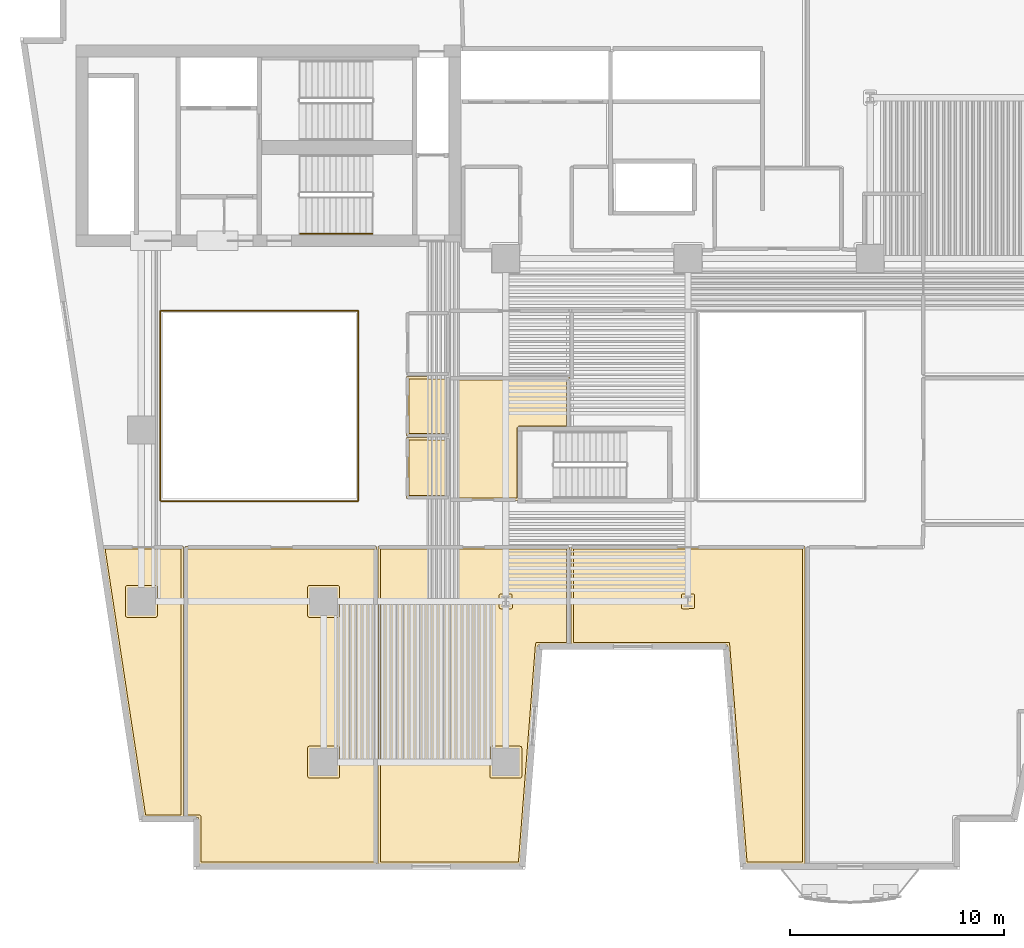
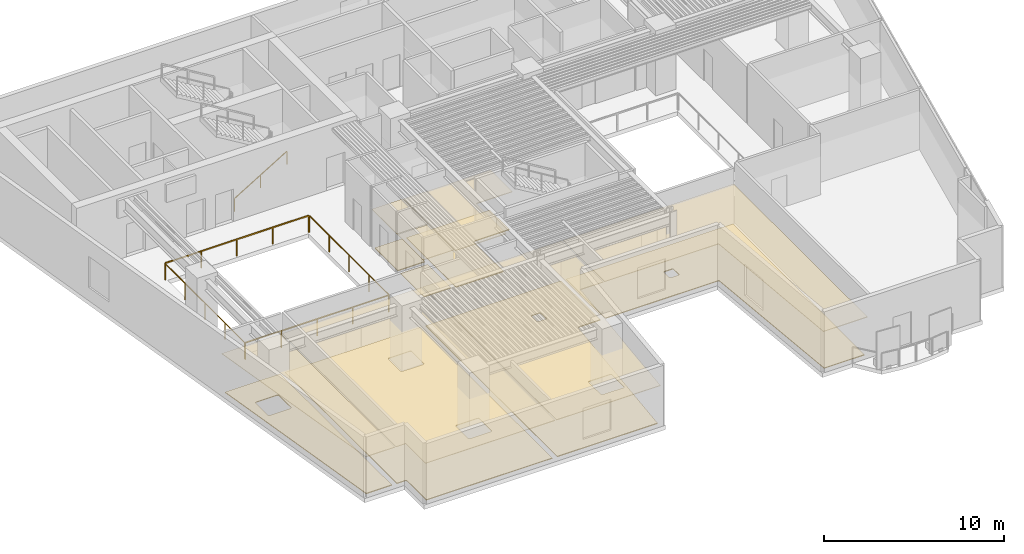
# One storey, part 8 of 12: 14 coverings, 5 railings.
"""IFC4 building model written with IfcOpenShell, lengths in metres."""

from ifc_helpers import new_model, si_unit, direction, frame, origin, origin_2d, place, context, subcontext, project, spatial, polyline, rectangle, outline, extrude, material, layer, layer_set, type_object, element, save


model = new_model("IFC4")

# Units and contexts
model_context = context("Model", 3, precision=1e-05, world=origin(), true_north=direction((0.0, 1.0)))
body_context = subcontext(model_context, "Body", "Model", "MODEL_VIEW")
ifc_project = project(units=[si_unit("LENGTHUNIT", "METRE"), si_unit("AREAUNIT", "SQUARE_METRE"), si_unit("VOLUMEUNIT", "CUBIC_METRE"), si_unit("PLANEANGLEUNIT", "RADIAN"), si_unit("MASSUNIT", "GRAM", prefix="KILO")], contexts=[model_context])

# Site, building, storey
site_placement = place(None, origin())
site = spatial("IfcSite", under=ifc_project, at=site_placement, CompositionType="ELEMENT")
building_placement = place(site_placement, origin())
building = spatial("IfcBuilding", under=site, at=building_placement, Name="Caeloran Harvest Quay", CompositionType="ELEMENT")
storey_placement = place(building_placement, frame((0.0, 0.0, 79.800048828125)))
storey = spatial("IfcBuildingStorey", under=building, at=storey_placement, Name="L18", CompositionType="ELEMENT", Elevation=79.800048828125)

# Coverings
ifc_material_1 = material(Name="Perforated Mineral-Fibre Acoustic Ceiling Tile", Category="ceiling")
ifc_layer_1 = layer(ifc_material_1, 0.0400390625, Name="Perforated Mineral-Fibre Acoustic Ceiling Tile")
ifc_layer_set_1 = layer_set([ifc_layer_1], Name="Perforated Mineral-Fibre Acoustic Ceiling Tile")
covering_type_1 = type_object("IfcCoveringType", Name="COV-CEILING-ACOUSTIC", PredefinedType="CEILING", material=ifc_layer_set_1)
covering_1_placement = place(storey_placement, frame((0.0, 0.0, 2.599853515625)))
element("IfcCovering", 1, at=covering_1_placement, inside=storey, type_object=covering_type_1, Name="L18 Female Washroom WC Acoustic Ceiling", PredefinedType="CEILING", context=body_context, shape_type="SweptSolid", body=[
    extrude(outline(polyline([(22.840087890625, 22.7099609375), (20.8701171875, 22.7099609375), (20.8701171875, 25.489990234375), (22.840087890625, 25.489990234375), (22.840087890625, 22.7099609375)])), origin(), (0.0, 0.0, 1.0), 0.0400390625),
])
covering_2_placement = place(storey_placement, frame((0.0, 0.0, 2.599853515625)))
element("IfcCovering", 2, at=covering_2_placement, inside=storey, type_object=covering_type_1, Name="L18 Accessible Unisex Washroom WC Acoustic Ceiling", PredefinedType="CEILING", context=body_context, shape_type="SweptSolid", body=[
    extrude(outline(polyline([(22.840087890625, 19.81005859375), (20.8701171875, 19.81005859375), (20.8701171875, 22.639892578125), (22.840087890625, 22.639892578125), (22.840087890625, 19.81005859375)])), origin(), (0.0, 0.0, 1.0), 0.0400390625),
])
covering_3_placement = place(storey_placement, frame((0.0, 0.0, 2.599853515625)))
element("IfcCovering", 3, at=covering_3_placement, inside=storey, type_object=covering_type_1, Name="Culinary Harvest Tasting Kitchen Acoustic Ceiling", PredefinedType="CEILING", context=body_context, shape_type="SweptSolid", body=[
    extrude(outline(polyline([(11.156982421875, 4.919921875), (10.5400390625, 4.919921875), (10.5400390625, 17.56005859375), (19.4599609375, 17.56005859375), (19.4599609375, 2.719970703125), (11.156982421875, 2.719970703125), (11.156982421875, 4.919921875)])), origin(), (0.0, 0.0, 1.0), 0.0400390625),
])
covering_4_placement = place(storey_placement, frame((0.0, 0.0, 2.599853515625)))
element("IfcCovering", 4, at=covering_4_placement, inside=storey, type_object=covering_type_1, Name="Botanical Workshop Studio Acoustic Ceiling", PredefinedType="CEILING", context=body_context, shape_type="SweptSolid", body=[
    extrude(outline(polyline([(26.199462890625, 2.719970703125), (19.5400390625, 2.719970703125), (19.5400390625, 17.56005859375), (28.4599609375, 17.56005859375), (28.4599609375, 12.969970703125), (26.99951171875, 12.969970703125), (26.199462890625, 2.719970703125)])), origin(), (0.0, 0.0, 1.0), 0.0400390625),
])
covering_5_placement = place(storey_placement, frame((0.0, 0.0, 2.599853515625)))
element("IfcCovering", 5, at=covering_5_placement, inside=storey, type_object=covering_type_1, Name="Gastronomy Seminar Room Acoustic Ceiling", PredefinedType="CEILING", context=body_context, shape_type="SweptSolid", body=[
    extrude(outline(polyline([(10.4599609375, 4.919921875), (8.59130859375, 4.919921875), (6.668701171875, 17.56005859375), (10.4599609375, 17.56005859375), (10.4599609375, 4.919921875)])), origin(), (0.0, 0.0, 1.0), 0.0400390625),
])
covering_6_placement = place(storey_placement, frame((0.0, 0.0, 2.599853515625)))
element("IfcCovering", 6, at=covering_6_placement, inside=storey, type_object=covering_type_1, Name="Seed Library Reading Lounge Acoustic Ceiling", PredefinedType="CEILING", context=body_context, shape_type="SweptSolid", body=[
    extrude(outline(polyline([(28.5400390625, 17.56005859375), (39.4599609375, 17.56005859375), (39.4599609375, 2.719970703125), (36.64404296875, 2.719970703125), (35.843994140625, 12.969970703125), (28.5400390625, 12.969970703125), (28.5400390625, 17.56005859375)])), origin(), (0.0, 0.0, 1.0), 0.0400390625),
])
covering_7_placement = place(storey_placement, frame((0.0, 0.0, 2.599853515625)))
element("IfcCovering", 7, at=covering_7_placement, inside=storey, type_object=covering_type_1, Name="Tasting Salon Lounge Acoustic Ceiling", PredefinedType="CEILING", context=body_context, shape_type="SweptSolid", body=[
    extrude(outline(polyline([(26.139892578125, 23.06005859375), (26.139892578125, 19.7099609375), (22.8701171875, 19.7099609375), (22.8701171875, 25.4599609375), (28.4599609375, 25.4599609375), (28.4599609375, 23.06005859375), (26.139892578125, 23.06005859375)])), origin(), (0.0, 0.0, 1.0), 0.0400390625),
])
ifc_material_2 = material(Name="Calcium-Sulphate Raised Access Floor and Terrazzo Finish", Category="flooring")
ifc_layer_2 = layer(ifc_material_2, 0.050048828125, Name="Calcium-Sulphate Raised Access Floor and Terrazzo Finish")
ifc_layer_set_2 = layer_set([ifc_layer_2], Name="Calcium-Sulphate Raised Access Floor and Terrazzo Finish")
covering_type_2 = type_object("IfcCoveringType", Name="COV-FLOOR-RAISED", PredefinedType="FLOORING", material=ifc_layer_set_2)
covering_8_placement = place(storey_placement, origin())
element("IfcCovering", 8, at=covering_8_placement, inside=storey, type_object=covering_type_2, Name="L18 Female Washroom WC Raised Finish Flooring", PredefinedType="FLOORING", context=body_context, shape_type="SweptSolid", body=[
    extrude(outline(polyline([(22.719970703125, 22.830078125), (20.989990234375, 22.830078125), (20.989990234375, 25.3701171875), (22.719970703125, 25.3701171875), (22.719970703125, 22.830078125)])), origin(), (0.0, 0.0, 1.0), 0.050048828125),
])
covering_9_placement = place(storey_placement, origin())
element("IfcCovering", 9, at=covering_9_placement, inside=storey, type_object=covering_type_2, Name="L18 Accessible Unisex Washroom WC Raised Finish Flooring", PredefinedType="FLOORING", context=body_context, shape_type="SweptSolid", body=[
    extrude(outline(polyline([(22.719970703125, 19.929931640625), (20.989990234375, 19.929931640625), (20.989990234375, 22.52001953125), (22.719970703125, 22.52001953125), (22.719970703125, 19.929931640625)])), origin(), (0.0, 0.0, 1.0), 0.050048828125),
])
covering_10_placement = place(storey_placement, origin())
element("IfcCovering", 10, at=covering_10_placement, inside=storey, type_object=covering_type_2, Name="Culinary Harvest Tasting Kitchen Raised Finish Flooring", PredefinedType="FLOORING", context=body_context, shape_type="SweptSolid", body=[
    extrude(outline(polyline([(19.340087890625, 2.840087890625), (11.277099609375, 2.840087890625), (11.273681640625, 4.983154296875), (11.204833984375, 5.03955078125), (10.659912109375, 5.0400390625), (10.659912109375, 17.43994140625), (19.340087890625, 17.43994140625), (19.340087890625, 2.840087890625)]), holes=[polyline([(16.3349609375, 8.2451171875), (16.2783203125, 8.2216796875), (16.2548828125, 8.1650390625), (16.2548828125, 6.8349609375), (16.2783203125, 6.7783203125), (16.3349609375, 6.7548828125), (17.6650390625, 6.7548828125), (17.7216796875, 6.7783203125), (17.7451171875, 6.8349609375), (17.7451171875, 8.1650390625), (17.7216796875, 8.2216796875), (17.6650390625, 8.2451171875), (16.3349609375, 8.2451171875)]), polyline([(17.7451171875, 15.6650390625), (17.7216796875, 15.7216796875), (17.6650390625, 15.7451171875), (16.3349609375, 15.7451171875), (16.2783203125, 15.7216796875), (16.2548828125, 15.6650390625), (16.2548828125, 14.3349609375), (16.2783203125, 14.2783203125), (16.3349609375, 14.2548828125), (17.6650390625, 14.2548828125), (17.7216796875, 14.2783203125), (17.7451171875, 14.3349609375), (17.7451171875, 15.6650390625)])]), origin(), (0.0, 0.0, 1.0), 0.050048828125),
])
covering_11_placement = place(storey_placement, origin())
element("IfcCovering", 11, at=covering_11_placement, inside=storey, type_object=covering_type_2, Name="Botanical Workshop Studio Raised Finish Flooring", PredefinedType="FLOORING", context=body_context, shape_type="SweptSolid", body=[
    extrude(outline(polyline([(26.96240234375, 13.090087890625), (26.9052734375, 13.06591796875), (26.8828125, 13.01611328125), (26.08837890625, 2.840087890625), (19.659912109375, 2.840087890625), (19.659912109375, 17.43994140625), (28.340087890625, 17.43994140625), (28.340087890625, 13.090087890625), (26.96240234375, 13.090087890625)]), holes=[polyline([(26.2451171875, 8.1650390625), (26.2216796875, 8.2216796875), (26.1650390625, 8.2451171875), (24.8349609375, 8.2451171875), (24.7783203125, 8.2216796875), (24.7548828125, 8.1650390625), (24.7548828125, 6.8349609375), (24.7783203125, 6.7783203125), (24.8349609375, 6.7548828125), (26.1650390625, 6.7548828125), (26.2216796875, 6.7783203125), (26.2451171875, 6.8349609375), (26.2451171875, 8.1650390625)]), polyline([(25.8134765625, 14.72802734375), (25.79541015625, 15.32275390625), (25.7412109375, 15.3515625), (25.2666015625, 15.35205078125), (25.2099609375, 15.32861328125), (25.1865234375, 15.27197265625), (25.1865234375, 14.72802734375), (25.2099609375, 14.67138671875), (25.2666015625, 14.64794921875), (25.7333984375, 14.64794921875), (25.7900390625, 14.67138671875), (25.8134765625, 14.72802734375)])]), origin(), (0.0, 0.0, 1.0), 0.050048828125),
])
covering_12_placement = place(storey_placement, origin())
element("IfcCovering", 12, at=covering_12_placement, inside=storey, type_object=covering_type_2, Name="Gastronomy Seminar Room Raised Finish Flooring", PredefinedType="FLOORING", context=body_context, shape_type="SweptSolid", body=[
    extrude(outline(polyline([(10.340087890625, 17.43994140625), (10.340087890625, 5.0400390625), (8.694580078125, 5.0400390625), (6.80810546875, 17.43994140625), (10.340087890625, 17.43994140625)]), holes=[polyline([(9.2451171875, 15.6650390625), (9.2216796875, 15.7216796875), (9.1650390625, 15.7451171875), (7.8349609375, 15.7451171875), (7.7783203125, 15.7216796875), (7.7548828125, 15.6650390625), (7.7548828125, 14.3349609375), (7.7783203125, 14.2783203125), (7.8349609375, 14.2548828125), (9.1650390625, 14.2548828125), (9.2216796875, 14.2783203125), (9.2451171875, 14.3349609375), (9.2451171875, 15.6650390625)])]), origin(), (0.0, 0.0, 1.0), 0.050048828125),
])
covering_13_placement = place(storey_placement, origin())
element("IfcCovering", 13, at=covering_13_placement, inside=storey, type_object=covering_type_2, Name="Seed Library Reading Lounge Raised Finish Flooring", PredefinedType="FLOORING", context=body_context, shape_type="SweptSolid", body=[
    extrude(outline(polyline([(28.659912109375, 13.090087890625), (28.659912109375, 17.43994140625), (39.340087890625, 17.43994140625), (39.340087890625, 2.840087890625), (36.7548828125, 2.840087890625), (35.938232421875, 13.06591796875), (35.881103515625, 13.090087890625), (28.659912109375, 13.090087890625)]), holes=[polyline([(33.7666015625, 15.35205078125), (33.7099609375, 15.32861328125), (33.68701171875, 15.27978515625), (33.70458984375, 14.67724609375), (33.7666015625, 14.64794921875), (34.2841796875, 14.666259765625), (34.3134765625, 14.72802734375), (34.29541015625, 15.32275390625), (34.2412109375, 15.3515625), (33.7666015625, 15.35205078125)])]), origin(), (0.0, 0.0, 1.0), 0.050048828125),
])
covering_14_placement = place(storey_placement, origin())
element("IfcCovering", 14, at=covering_14_placement, inside=storey, type_object=covering_type_2, Name="Tasting Salon Lounge Raised Finish Flooring", PredefinedType="FLOORING", context=body_context, shape_type="SweptSolid", body=[
    extrude(outline(polyline([(26.101806640625, 23.17626953125), (26.04248046875, 23.13671875), (26.02001953125, 23.070068359375), (26.02001953125, 19.830078125), (22.989990234375, 19.830078125), (22.989990234375, 25.340087890625), (28.340087890625, 25.340087890625), (28.340087890625, 23.179931640625), (26.101806640625, 23.17626953125)])), origin(), (0.0, 0.0, 1.0), 0.050048828125),
])

# Railings
ifc_material_3 = material(Name="Powder-Coated Steel Post and Laminated Glass Guardrail", Category="steel")
ifc_layer_3 = layer(ifc_material_3, 0.06005859375, Name="Powder-Coated Steel Post and Laminated Glass Guardrail")
ifc_layer_set_3 = layer_set([ifc_layer_3], Name="Powder-Coated Steel Post and Laminated Glass Guardrail")
railing_type_1 = type_object("IfcRailingType", Name="GUARD-ATRIUM-1150", PredefinedType="GUARDRAIL", material=ifc_layer_set_3)
railing_1_placement = place(storey_placement, frame((9.412109375, 19.679931640625, 0.0)))
element("IfcRailing", 15, at=railing_1_placement, inside=storey, type_object=railing_type_1, Name="L18 Skylit Atrium Void Perimeter Guardrail Seg 1", PredefinedType="GUARDRAIL", context=body_context, shape_type="SweptSolid", body=[
    extrude(rectangle(XDim=0.048095703125, YDim=0.048095703125, at=origin_2d()), frame((0.0, 0.0, 1.1259765625), z_axis=(1.0, 0.0, 0.0), x_axis=(0.0, 1.0, 0.0)), (0.0, 0.0, 1.0), 9.17578125),
    extrude(rectangle(XDim=0.0419921875, YDim=0.0419921875, at=origin_2d()), origin(), (0.0, 0.0, 1.0), 1.101806640625),
    extrude(rectangle(XDim=0.0419921875, YDim=0.0419921875, at=origin_2d()), frame((2.2939453125, 0.0, 0.0)), (0.0, 0.0, 1.0), 1.101806640625),
    extrude(rectangle(XDim=0.0419921875, YDim=0.0419921875, at=origin_2d()), frame((4.587890625, 0.0, 0.0)), (0.0, 0.0, 1.0), 1.101806640625),
    extrude(rectangle(XDim=0.0419921875, YDim=0.0419921875, at=origin_2d()), frame((6.8818359375, 0.0, 0.0)), (0.0, 0.0, 1.0), 1.101806640625),
    extrude(rectangle(XDim=0.0419921875, YDim=0.0419921875, at=origin_2d()), frame((9.17578125, 0.0, 0.0)), (0.0, 0.0, 1.0), 1.101806640625),
])
railing_2_placement = place(storey_placement, frame((18.6201171875, 19.7119140625, 0.0)))
element("IfcRailing", 16, at=railing_2_placement, inside=storey, type_object=railing_type_1, Name="L18 Skylit Atrium Void Perimeter Guardrail Seg 2", PredefinedType="GUARDRAIL", context=body_context, shape_type="SweptSolid", body=[
    extrude(rectangle(XDim=0.048095703125, YDim=0.048095703125, at=origin_2d()), frame((0.0, 0.0, 1.1259765625), z_axis=(0.0, 1.0, 0.0), x_axis=(-1.0, 0.0, 0.0)), (0.0, 0.0, 1.0), 8.826171875),
    extrude(rectangle(XDim=0.0419921875, YDim=0.0419921875, at=origin_2d()), origin(), (0.0, 0.0, 1.0), 1.101806640625),
    extrude(rectangle(XDim=0.0419921875, YDim=0.0419921875, at=origin_2d()), frame((0.0, 2.20654296875, 0.0)), (0.0, 0.0, 1.0), 1.101806640625),
    extrude(rectangle(XDim=0.0419921875, YDim=0.0419921875, at=origin_2d()), frame((0.0, 4.4130859375, 0.0)), (0.0, 0.0, 1.0), 1.101806640625),
    extrude(rectangle(XDim=0.0419921875, YDim=0.0419921875, at=origin_2d()), frame((0.0, 6.61962890625, 0.0)), (0.0, 0.0, 1.0), 1.101806640625),
    extrude(rectangle(XDim=0.0419921875, YDim=0.0419921875, at=origin_2d()), frame((0.0, 8.826171875, 0.0)), (0.0, 0.0, 1.0), 1.101806640625),
])
railing_3_placement = place(storey_placement, frame((18.587890625, 28.570068359375, 0.0)))
element("IfcRailing", 17, at=railing_3_placement, inside=storey, type_object=railing_type_1, Name="L18 Skylit Atrium Void Perimeter Guardrail Seg 3", PredefinedType="GUARDRAIL", context=body_context, shape_type="SweptSolid", body=[
    extrude(rectangle(XDim=0.048095703125, YDim=0.048095703125, at=origin_2d()), frame((0.0, 0.0, 1.1259765625), z_axis=(-1.0, 0.0, 0.0), x_axis=(0.0, -1.0, 0.0)), (0.0, 0.0, 1.0), 9.17578125),
    extrude(rectangle(XDim=0.0419921875, YDim=0.0419921875, at=origin_2d()), origin(), (0.0, 0.0, 1.0), 1.101806640625),
    extrude(rectangle(XDim=0.0419921875, YDim=0.0419921875, at=origin_2d()), frame((-2.2939453125, 0.0, 0.0)), (0.0, 0.0, 1.0), 1.101806640625),
    extrude(rectangle(XDim=0.0419921875, YDim=0.0419921875, at=origin_2d()), frame((-4.587890625, 0.0, 0.0)), (0.0, 0.0, 1.0), 1.101806640625),
    extrude(rectangle(XDim=0.0419921875, YDim=0.0419921875, at=origin_2d()), frame((-6.8818359375, 0.0, 0.0)), (0.0, 0.0, 1.0), 1.101806640625),
    extrude(rectangle(XDim=0.0419921875, YDim=0.0419921875, at=origin_2d()), frame((-9.17578125, 0.0, 0.0)), (0.0, 0.0, 1.0), 1.101806640625),
])
railing_4_placement = place(storey_placement, frame((9.3798828125, 28.5380859375, 0.0)))
element("IfcRailing", 18, at=railing_4_placement, inside=storey, type_object=railing_type_1, Name="L18 Skylit Atrium Void Perimeter Guardrail Seg 4", PredefinedType="GUARDRAIL", context=body_context, shape_type="SweptSolid", body=[
    extrude(rectangle(XDim=0.048095703125, YDim=0.048095703125, at=origin_2d()), frame((0.0, 0.0, 1.1259765625), z_axis=(0.0, -1.0, 0.0), x_axis=(1.0, 0.0, 0.0)), (0.0, 0.0, 1.0), 8.826171875),
    extrude(rectangle(XDim=0.0419921875, YDim=0.0419921875, at=origin_2d()), origin(), (0.0, 0.0, 1.0), 1.101806640625),
    extrude(rectangle(XDim=0.0419921875, YDim=0.0419921875, at=origin_2d()), frame((0.0, -2.20654296875, 0.0)), (0.0, 0.0, 1.0), 1.101806640625),
    extrude(rectangle(XDim=0.0419921875, YDim=0.0419921875, at=origin_2d()), frame((0.0, -4.4130859375, 0.0)), (0.0, 0.0, 1.0), 1.101806640625),
    extrude(rectangle(XDim=0.0419921875, YDim=0.0419921875, at=origin_2d()), frame((0.0, -6.61962890625, 0.0)), (0.0, 0.0, 1.0), 1.101806640625),
    extrude(rectangle(XDim=0.0419921875, YDim=0.0419921875, at=origin_2d()), frame((0.0, -8.826171875, 0.0)), (0.0, 0.0, 1.0), 1.101806640625),
])
ifc_material_4 = material(Name="Brushed Stainless Steel Grade 304", Category="steel")
ifc_layer_4 = layer(ifc_material_4, 0.050048828125, Name="Brushed Stainless Steel Grade 304")
ifc_layer_set_4 = layer_set([ifc_layer_4], Name="Brushed Stainless Steel Grade 304")
railing_type_2 = type_object("IfcRailingType", Name="STAIR-HANDRAIL-900", PredefinedType="HANDRAIL", material=ifc_layer_set_4)
railing_5_placement = place(storey_placement, frame((15.89990234375, 32.14990234375, 0.169189453125)))
element("IfcRailing", 19, at=railing_5_placement, inside=storey, type_object=railing_type_2, Name="L18 ST-C2 stair handrail 1", PredefinedType="HANDRAIL", context=body_context, shape_type="SweptSolid", body=[
    extrude(rectangle(XDim=0.048095703125, YDim=0.048095703125, at=origin_2d()), frame((0.0, 0.0, 0.8759765625), z_axis=(0.855836976705, 0.0, 0.517245656632), x_axis=(0.0, 1.0, 0.0)), (0.0, 0.0, 1.0), 3.926025390625),
    extrude(rectangle(XDim=0.0419921875, YDim=0.0419921875, at=origin_2d()), origin(), (0.0, 0.0, 1.0), 0.851806640625),
    extrude(rectangle(XDim=0.0419921875, YDim=0.0419921875, at=origin_2d()), frame((1.68017578125, 0.0, 1.015380859375)), (0.0, 0.0, 1.0), 0.851806640625),
    extrude(rectangle(XDim=0.0419921875, YDim=0.0419921875, at=origin_2d()), frame((3.360107421875, 0.0, 2.03076171875)), (0.0, 0.0, 1.0), 0.851806640625),
])

save(model, "model.ifc")
